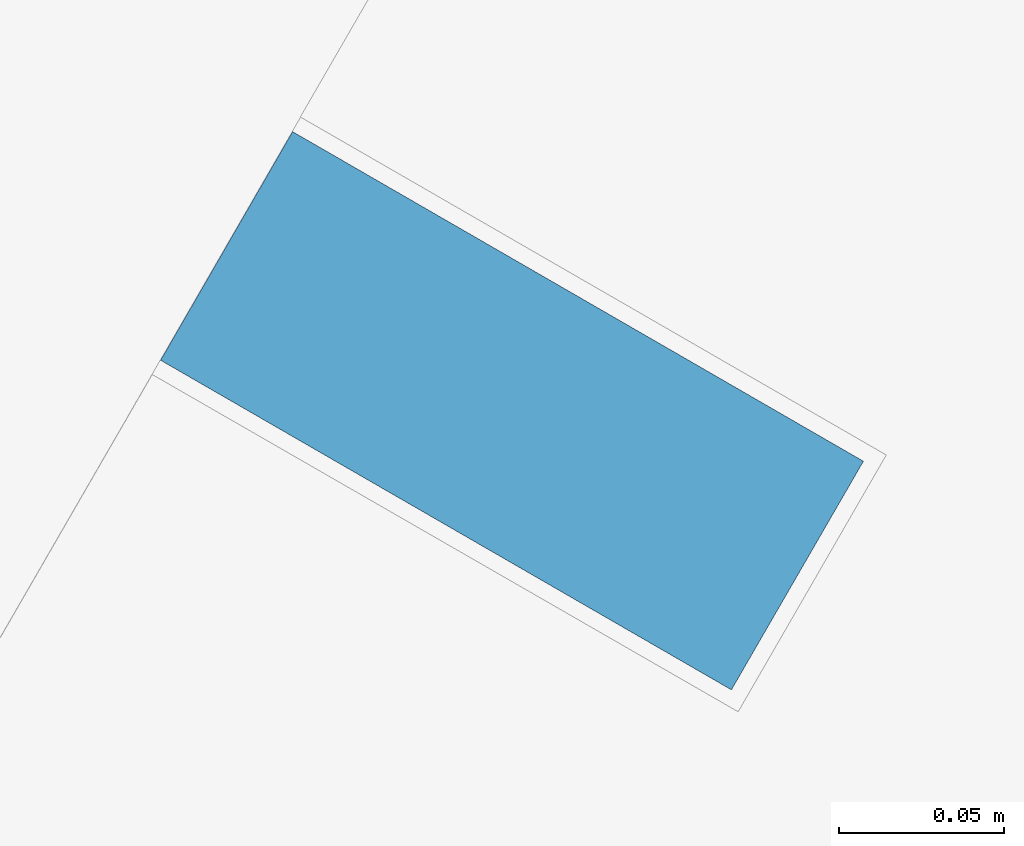
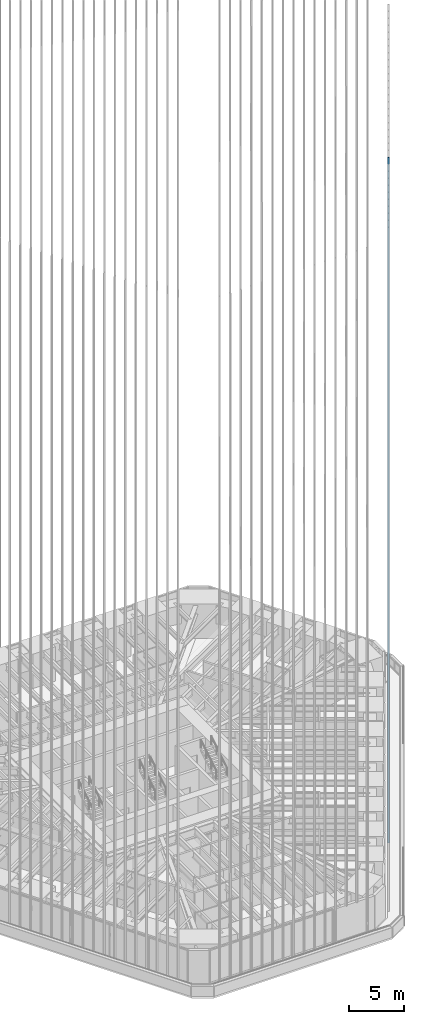
# One storey, part 85 of 238: 1 member, 1 element without a shape of its own.
"""IFC4 building model written with IfcOpenShell, lengths in metres."""

from ifc_helpers import new_model, si_unit, direction, frame, origin, origin_2d, place, context, subcontext, project, spatial, rectangle, extrude, material, material_profile, profile_set, type_object, element, aggregate, save


model = new_model("IFC4")

# Units and contexts
model_context = context("Model", 3, precision=1e-05, world=origin(), true_north=direction((0.0, 1.0)))
body_context = subcontext(model_context, "Body", "Model", "MODEL_VIEW")
ifc_project = project(units=[si_unit("LENGTHUNIT", "METRE"), si_unit("AREAUNIT", "SQUARE_METRE"), si_unit("VOLUMEUNIT", "CUBIC_METRE"), si_unit("PLANEANGLEUNIT", "RADIAN"), si_unit("MASSUNIT", "GRAM", prefix="KILO")], contexts=[model_context])

# Site, building, storey
site_placement = place(None, origin())
site = spatial("IfcSite", under=ifc_project, at=site_placement, CompositionType="ELEMENT")
building_placement = place(site_placement, origin())
building = spatial("IfcBuilding", under=site, at=building_placement, Name="Sandreach Pilgrim Tower", CompositionType="ELEMENT")
storey_placement = place(building_placement, frame((0.0, 0.0, 96.800048828125)))
storey = spatial("IfcBuildingStorey", under=building, at=storey_placement, Name="L23", CompositionType="ELEMENT", Elevation=96.800048828125)

# Curtain wall, member
ifc_material_1 = material(Name="Aluminium framed curtain wall", Category="aluminium")
curtain_wall_type = type_object("IfcCurtainWallType", Name="Hotel tower curtain wall", PredefinedType="NOTDEFINED", material=ifc_material_1)
curtain_wall_placement = place(storey_placement, origin())
curtain_wall = element("IfcCurtainWall", 1, at=curtain_wall_placement, inside=storey, type_object=curtain_wall_type, Name="CW-2 L23 SE", PredefinedType="NOTDEFINED")
ifc_material_2 = material(Name="Extruded terracotta on aluminium core", Category="masonry")
ifc_material_profile = material_profile(ifc_material_2, rectangle(XDim=0.080078125, YDim=0.199951171875, at=origin_2d()), Name="TBE 80X200")
ifc_profile_set = profile_set([ifc_material_profile], Name="Extruded terracotta on aluminium core")
member_type = type_object("IfcMemberType", Name="Terracotta baguette east", PredefinedType="USERDEFINED", material=ifc_profile_set)
member_placement = place(storey_placement, frame((16.5244140625, -17.16650390625, 0.0), z_axis=(0.0, 0.0, 1.0), x_axis=(-0.5, -0.866025403784, 0.0)))
member = element("IfcMember", 2, at=member_placement, type_object=member_type, Name="Baguette Z2 SE23", ObjectType="BAGUETTE", PredefinedType="USERDEFINED", context=body_context, shape_type="SweptSolid", body=[
    extrude(rectangle(XDim=0.080078125, YDim=0.199951171875, at=origin_2d()), origin(), (0.0, 0.0, 1.0), 75.83984375),
])
aggregate(curtain_wall, [member])

save(model, "model.ifc")
